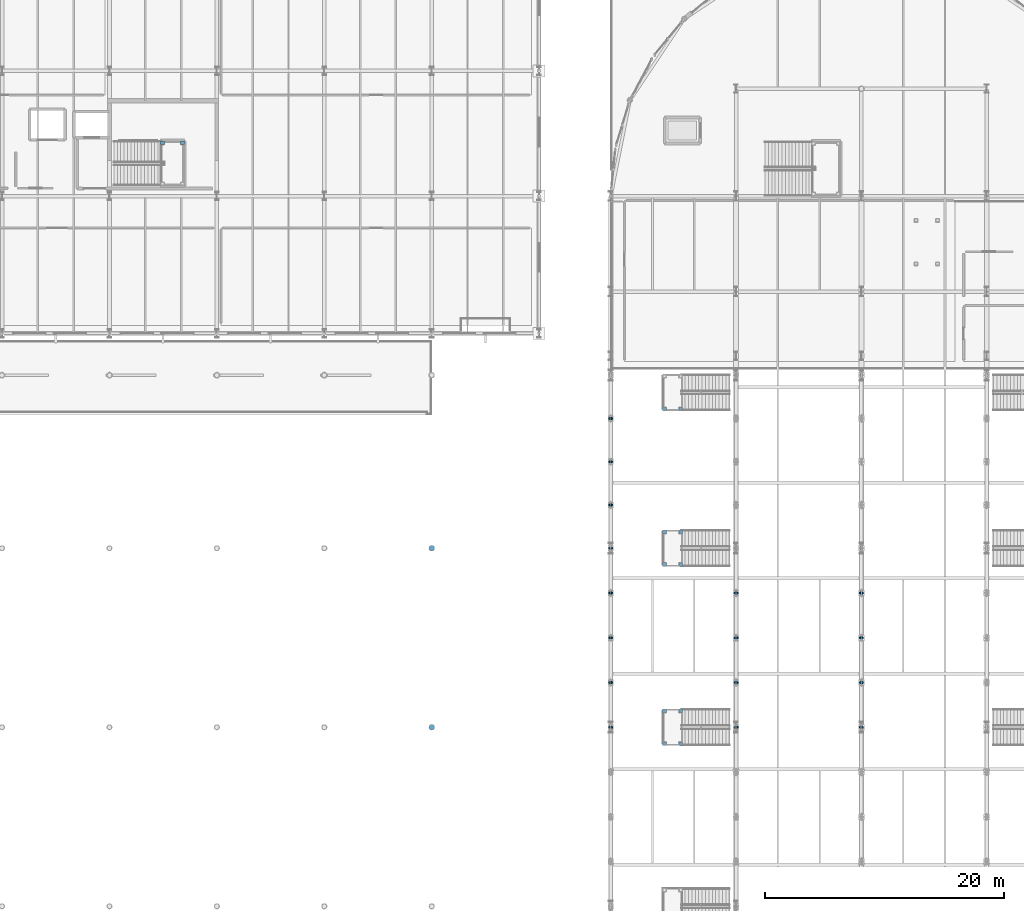
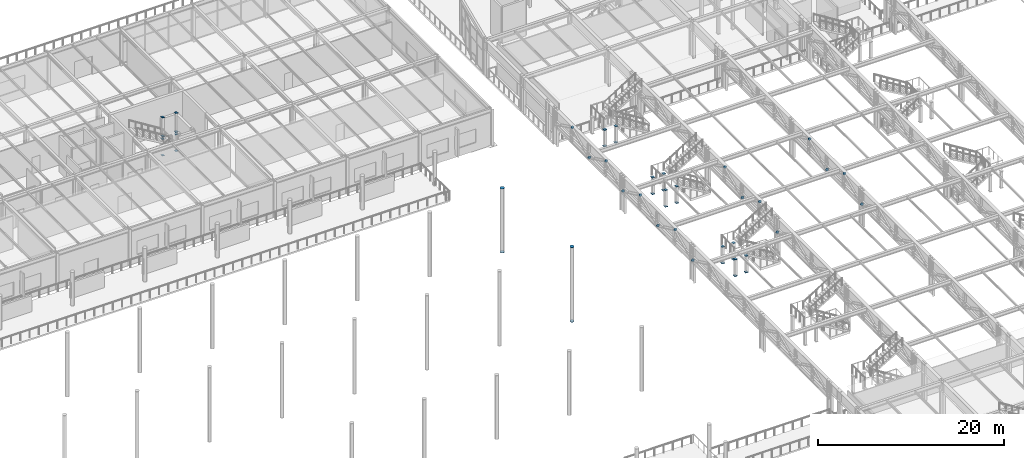
# One storey, part 100 of 143: 64 discrete accessories.
"""IFC4 building model written with IfcOpenShell, lengths in metres."""

import ifcopenshell
import ifcopenshell.guid

model = None  # the IFC model being written
_history = None  # IfcOwnerHistory: only IFC2X3 demands one
_inside = {}  # id of a spatial element -> (the spatial element, [elements in it])
_under = {}  # id of a project, library or spatial element -> (it, [spatial elements below it])
_declared = {}  # id of a project -> (the project, [libraries it declares])
_typed = {}  # id of a type object -> (the type object, [elements of that type])
_made_of = {}  # id of a material, layer set ... -> (it, [elements and type objects made of it])


def new_model(schema):
    """Start an empty IFC model of exactly this schema.

    Asked for "IFC4X3", IfcOpenShell would pick the latest addendum, in which some entities
    have other attributes; the version numbers below select the first issue.
    IFC2X3 requires an IfcOwnerHistory on every rooted entity: one is made here for all.
    """
    global model, _history
    if schema == "IFC4X3":
        model = ifcopenshell.file(schema_version=(4, 3, 0, 0))
    else:
        model = ifcopenshell.file(schema=schema)
    _inside.clear()
    _under.clear()
    _declared.clear()
    _typed.clear()
    _made_of.clear()
    _history = None
    if model.schema == "IFC2X3":
        org = make("IfcOrganization", Name="unknown")
        user = make(
            "IfcPersonAndOrganization",
            ThePerson=make("IfcPerson", FamilyName="unknown"),
            TheOrganization=org,
        )
        app = make(
            "IfcApplication",
            ApplicationDeveloper=org,
            Version="unknown",
            ApplicationFullName="unknown",
            ApplicationIdentifier="unknown",
        )
        _history = make(
            "IfcOwnerHistory",
            OwningUser=user,
            OwningApplication=app,
            ChangeAction="ADDED",
            CreationDate=0,
        )
    return model


def make(cls, **values):
    """One entity of the class cls with the attributes given. An attribute that is None is left unset."""
    return model.create_entity(
        cls, **{name: value for name, value in values.items() if value is not None}
    )


def rooted(cls, **values):
    """An entity with a GlobalId (a new one), such as an element, a storey or a relation."""
    return make(cls, GlobalId=ifcopenshell.guid.new(), OwnerHistory=_history, **values)


def si_unit(unit_type, name, prefix=None):
    """IfcSIUnit, for example si_unit("LENGTHUNIT", "METRE", prefix="MILLI")."""
    return make("IfcSIUnit", UnitType=unit_type, Prefix=prefix, Name=name)


def assignment(units):
    """IfcUnitAssignment: the units of a project."""
    return None if units is None else make("IfcUnitAssignment", Units=units)


def point(xyz):
    """IfcCartesianPoint."""
    return None if xyz is None else make("IfcCartesianPoint", Coordinates=xyz)


def direction(xyz):
    """IfcDirection."""
    return None if xyz is None else make("IfcDirection", DirectionRatios=xyz)


def frame(location, z_axis=None, x_axis=None):
    """IfcAxis2Placement3D, a coordinate frame: its origin and axes. An axis left out is left unset."""
    return make(
        "IfcAxis2Placement3D",
        Location=point(location),
        Axis=direction(z_axis),
        RefDirection=direction(x_axis),
    )


def frame_2d(location, x_axis=None):
    """IfcAxis2Placement2D, a coordinate frame in the plane: its origin and x axis."""
    return make(
        "IfcAxis2Placement2D", Location=point(location), RefDirection=direction(x_axis)
    )


def origin():
    """The frame at (0, 0, 0) with its axes left unset."""
    return frame((0.0, 0.0, 0.0))


def origin_2d():
    """The frame at (0, 0) in the plane with its x axis left unset."""
    return frame_2d((0.0, 0.0))


def place(relative_to, where):
    """IfcLocalPlacement: puts the frame where relative to a parent placement (None: the world)."""
    return make(
        "IfcLocalPlacement", PlacementRelTo=relative_to, RelativePlacement=where
    )


def context(
    kind, dimensions, precision=None, world=None, true_north=None, identifier=None
):
    """IfcGeometricRepresentationContext, for example the 3D "Model" context."""
    return make(
        "IfcGeometricRepresentationContext",
        ContextIdentifier=identifier,
        ContextType=kind,
        CoordinateSpaceDimension=dimensions,
        Precision=precision,
        WorldCoordinateSystem=world,
        TrueNorth=true_north,
    )


def subcontext(parent, identifier, kind, view, scale=None):
    """IfcGeometricRepresentationSubContext, for example "Body" below "Model"."""
    return make(
        "IfcGeometricRepresentationSubContext",
        ContextIdentifier=identifier,
        ContextType=kind,
        ParentContext=parent,
        TargetScale=scale,
        TargetView=view,
    )


def project(units=None, contexts=None):
    """IfcProject with its units and contexts."""
    return rooted(
        "IfcProject",
        Name="project",
        RepresentationContexts=contexts,
        UnitsInContext=assignment(units),
    )


def spatial(cls, under=None, at=None, **own):
    """A site, building, storey or space (cls), placed at a placement, below another one or the project."""
    s = rooted(cls, ObjectPlacement=at, **own)
    if under is not None:
        _under.setdefault(under.id(), (under, []))[1].append(s)
    return s


def profile(cls, at=None, kind="AREA", **sizes):
    """A parametric profile (cls). Its sizes go by their IFC names, for example OverallWidth=200.0."""
    return make(cls, ProfileType=kind, Position=at, **sizes)


def rectangle(**sizes):
    """IfcRectangleProfileDef."""
    return profile("IfcRectangleProfileDef", **sizes)


def circle(**sizes):
    """IfcCircleProfileDef."""
    return profile("IfcCircleProfileDef", **sizes)


def extrude(swept, where, along, depth):
    """IfcExtrudedAreaSolid: the profile swept, set in the frame where, extruded along a direction by depth."""
    return make(
        "IfcExtrudedAreaSolid",
        SweptArea=swept,
        Position=where,
        ExtrudedDirection=direction(along),
        Depth=depth,
    )


def shape(context_of_items, identifier, shape_type, items):
    """IfcShapeRepresentation: the items that make up one representation, for example the "Body"."""
    return make(
        "IfcShapeRepresentation",
        ContextOfItems=context_of_items,
        RepresentationIdentifier=identifier,
        RepresentationType=shape_type,
        Items=items,
    )


def material(Name=None, Category=None):
    """IfcMaterial."""
    return make("IfcMaterial", Name=Name, Category=Category)


def made_of(thing, what):
    """Note that an element or type object is made of a material, layer set ...; save() writes the relation."""
    if what is not None:
        _made_of.setdefault(what.id(), (what, []))[1].append(thing)
    return thing


def element(
    cls,
    number,
    at=None,
    inside=None,
    cuts=None,
    type_object=None,
    material=None,
    context=None,
    identifier="Body",
    shape_type=None,
    held_by="IfcProductDefinitionShape",
    body=None,
    shapes=None,
    **own,
):
    """One element of the class cls, such as IfcWall. Its Tag is "e" and its number.

    at: its placement. inside: the storey or other place that contains it. cuts: it is an
    opening in that element (IfcRelVoidsElement). A single representation is given by context,
    identifier, shape_type and body (its items); several are given by shapes. held_by: the class
    of the entity that holds the representations. save() writes the other relations.
    """
    e = rooted(cls, Tag="e%d" % number, ObjectPlacement=at, **own)
    if body is not None:
        shapes = [shape(context, identifier, shape_type, body)]
    if shapes is not None:
        e.Representation = make(held_by, Representations=shapes)
    if inside is not None:
        _inside.setdefault(inside.id(), (inside, []))[1].append(e)
    if cuts is not None:
        rooted(
            "IfcRelVoidsElement", RelatingBuildingElement=cuts, RelatedOpeningElement=e
        )
    if type_object is not None:
        _typed.setdefault(type_object.id(), (type_object, []))[1].append(e)
    return made_of(e, material)


def aggregate(whole, parts):
    """IfcRelAggregates: a whole, such as a stair, and the parts it consists of."""
    return rooted("IfcRelAggregates", RelatingObject=whole, RelatedObjects=parts)


def save(model, path):
    """Write the relations noted so far, then the file.

    IfcRelAggregates (storeys below a building ...), IfcRelContainedInSpatialStructure (elements
    in a storey), IfcRelDefinesByType, IfcRelAssociatesMaterial and IfcRelDeclares: one each for
    every whole, place, type object, material and project.
    """
    for whole, parts in _under.values():
        aggregate(whole, parts)
    for where, things in _inside.values():
        rooted(
            "IfcRelContainedInSpatialStructure",
            RelatedElements=things,
            RelatingStructure=where,
        )
    for kind, things in _typed.values():
        rooted("IfcRelDefinesByType", RelatedObjects=things, RelatingType=kind)
    for what, things in _made_of.values():
        rooted("IfcRelAssociatesMaterial", RelatedObjects=things, RelatingMaterial=what)
    for by, libraries in _declared.values():
        rooted("IfcRelDeclares", RelatingContext=by, RelatedDefinitions=libraries)
    model.write(path)


model = new_model("IFC4")

# Units and contexts
model_context = context("Model", 3, precision=1e-05, world=origin(), true_north=direction((0.0, 1.0)))
body_context = subcontext(model_context, "Body", "Model", "MODEL_VIEW")
ifc_project = project(units=[si_unit("LENGTHUNIT", "METRE"), si_unit("AREAUNIT", "SQUARE_METRE"), si_unit("VOLUMEUNIT", "CUBIC_METRE"), si_unit("PLANEANGLEUNIT", "RADIAN"), si_unit("MASSUNIT", "GRAM", prefix="KILO")], contexts=[model_context])

# Site, building, storey
site_placement = place(None, origin())
site = spatial("IfcSite", under=ifc_project, at=site_placement, CompositionType="ELEMENT")
building_placement = place(site_placement, origin())
building = spatial("IfcBuilding", under=site, at=building_placement, Name="Marlcrest Central Station", CompositionType="ELEMENT")
storey_placement = place(building_placement, frame((0.0, 0.0, 4.800048828125)))
storey = spatial("IfcBuildingStorey", under=building, at=storey_placement, Name="L01", CompositionType="ELEMENT", Elevation=4.800048828125)

# Discrete accessories
ifc_material = material(Name="Steel S355", Category="steel")
for number, where, z_axis, x_axis, name in (
    (1, (72.0, 66.0, -0.014892578125), (0.0, 0.0, 1.0), (1.0, 0.0, 0.0), "endcap-col-SC-11-L01-0497-s"),
    (2, (72.0, 66.0, 9.775146484375), (0.0, 0.0, 1.0), (1.0, 0.0, 0.0), "endcap-col-SC-11-L01-0497-e"),
    (3, (72.0, 81.0, -0.014892578125), (0.0, 0.0, 1.0), (1.0, 0.0, 0.0), "endcap-col-SC-11-L01-0499-s"),
    (4, (72.0, 81.0, 8.37890625), (0.0, 0.0, 1.0), (1.0, 0.0, 0.0), "endcap-col-SC-11-L01-0499-e"),
):
    element("IfcDiscreteAccessory", number, at=place(storey_placement, frame(where, z_axis=z_axis, x_axis=x_axis)), inside=storey, material=ifc_material, Name=name, ObjectType="END_CAP_PLATE", PredefinedType="BRACKET", context=body_context, shape_type="SweptSolid", body=[
        extrude(circle(Radius=0.236572265625, at=origin_2d()), origin(), (0.0, 0.0, 1.0), 0.0400390625),
    ])
for number, where, z_axis, x_axis, name in (
    (5, (87.0, 65.977294921875, 2.75537109375), (0.0, 0.906183139995, -0.422885465331), (-1.0, 0.0, 0.0), "endcap-mem-TD-01-L01-02142-e"),
    (6, (87.0, 65.986328125, 2.738525390625), (0.0, 0.906183139995, 0.422885465331), (-1.0, 0.0, 0.0), "endcap-mem-TD-01-L01-02145-s"),
    (7, (87.0, 69.727294921875, 4.484375), (0.0, 0.906183139995, 0.422885465331), (-1.0, 0.0, 0.0), "endcap-mem-TD-01-L01-02145-e"),
    (8, (87.0, 69.736328125, 4.501220703125), (0.0, 0.906183139995, -0.422885465331), (-1.0, 0.0, 0.0), "endcap-mem-TD-01-L01-02148-s"),
    (9, (87.0, 73.477294921875, 2.75537109375), (0.0, 0.906183139995, -0.422885465331), (-1.0, 0.0, 0.0), "endcap-mem-TD-01-L01-02148-e"),
    (10, (87.0, 73.486328125, 2.738525390625), (0.0, 0.906183139995, 0.422885465331), (-1.0, 0.0, 0.0), "endcap-mem-TD-01-L01-02151-s"),
    (11, (87.0, 77.227294921875, 4.484375), (0.0, 0.906183139995, 0.422885465331), (-1.0, 0.0, 0.0), "endcap-mem-TD-01-L01-02151-e"),
    (12, (87.0, 77.236328125, 4.501220703125), (0.0, 0.906183139995, -0.422885465331), (-1.0, 0.0, 0.0), "endcap-mem-TD-01-L01-02154-s"),
    (13, (87.0, 80.977294921875, 2.75537109375), (0.0, 0.906183139995, -0.422885465331), (-1.0, 0.0, 0.0), "endcap-mem-TD-01-L01-02154-e"),
    (14, (87.0, 80.986572265625, 2.73828125), (0.0, 0.900551636365, 0.434749065831), (-1.0, 0.0, 0.0), "endcap-mem-TD-01-L01-02157-s"),
    (15, (87.0, 84.6025390625, 4.48388671875), (0.0, 0.900551636365, 0.434749065831), (-1.0, 0.0, 0.0), "endcap-mem-TD-01-L01-02157-e"),
    (16, (87.0, 84.611572265625, 4.50146484375), (0.0, 0.900551636365, -0.434749065831), (-1.0, 0.0, 0.0), "endcap-mem-TD-01-L01-02160-s"),
    (17, (87.0, 88.2275390625, 2.755859375), (0.0, 0.900551636365, -0.434749065831), (-1.0, 0.0, 0.0), "endcap-mem-TD-01-L01-02160-e"),
    (18, (87.0, 88.236572265625, 2.73828125), (0.0, 0.900551636365, 0.434749065831), (-1.0, 0.0, 0.0), "endcap-mem-TD-01-L01-02163-s"),
    (19, (87.0, 91.8525390625, 4.48388671875), (0.0, 0.900551636365, 0.434749065831), (-1.0, 0.0, 0.0), "endcap-mem-TD-01-L01-02163-e"),
    (20, (87.0, 91.861572265625, 4.50146484375), (0.0, 0.900551636365, -0.434749065831), (-1.0, 0.0, 0.0), "endcap-mem-TD-01-L01-02166-s"),
    (21, (97.5, 65.977294921875, 2.75537109375), (0.0, 0.906183139995, -0.422885465331), (-1.0, 0.0, 0.0), "endcap-mem-TD-01-L01-02191-e"),
    (22, (97.5, 65.986328125, 2.738525390625), (0.0, 0.906183139995, 0.422885465331), (-1.0, 0.0, 0.0), "endcap-mem-TD-01-L01-02194-s"),
    (23, (97.5, 69.727294921875, 4.484375), (0.0, 0.906183139995, 0.422885465331), (-1.0, 0.0, 0.0), "endcap-mem-TD-01-L01-02194-e"),
    (24, (97.5, 69.736328125, 4.501220703125), (0.0, 0.906183139995, -0.422885465331), (-1.0, 0.0, 0.0), "endcap-mem-TD-01-L01-02197-s"),
    (25, (97.5, 73.477294921875, 2.75537109375), (0.0, 0.906183139995, -0.422885465331), (-1.0, 0.0, 0.0), "endcap-mem-TD-01-L01-02197-e"),
    (26, (97.5, 73.486328125, 2.738525390625), (0.0, 0.906183139995, 0.422885465331), (-1.0, 0.0, 0.0), "endcap-mem-TD-01-L01-02200-s"),
    (27, (97.5, 77.227294921875, 4.484375), (0.0, 0.906183139995, 0.422885465331), (-1.0, 0.0, 0.0), "endcap-mem-TD-01-L01-02200-e"),
    (28, (97.5, 77.236328125, 4.501220703125), (0.0, 0.906183139995, -0.422885465331), (-1.0, 0.0, 0.0), "endcap-mem-TD-01-L01-02203-s"),
    (29, (108.0, 65.977294921875, 2.75537109375), (0.0, 0.906183139995, -0.422885465331), (-1.0, 0.0, 0.0), "endcap-mem-TD-01-L01-02240-e"),
    (30, (108.0, 65.986328125, 2.738525390625), (0.0, 0.906183139995, 0.422885465331), (-1.0, 0.0, 0.0), "endcap-mem-TD-01-L01-02243-s"),
    (31, (108.0, 69.727294921875, 4.484375), (0.0, 0.906183139995, 0.422885465331), (-1.0, 0.0, 0.0), "endcap-mem-TD-01-L01-02243-e"),
    (32, (108.0, 69.736328125, 4.501220703125), (0.0, 0.906183139995, -0.422885465331), (-1.0, 0.0, 0.0), "endcap-mem-TD-01-L01-02246-s"),
    (33, (108.0, 73.477294921875, 2.75537109375), (0.0, 0.906183139995, -0.422885465331), (-1.0, 0.0, 0.0), "endcap-mem-TD-01-L01-02246-e"),
    (34, (108.0, 73.486328125, 2.738525390625), (0.0, 0.906183139995, 0.422885465331), (-1.0, 0.0, 0.0), "endcap-mem-TD-01-L01-02249-s"),
    (35, (108.0, 77.227294921875, 4.484375), (0.0, 0.906183139995, 0.422885465331), (-1.0, 0.0, 0.0), "endcap-mem-TD-01-L01-02249-e"),
    (36, (108.0, 77.236328125, 4.501220703125), (0.0, 0.906183139995, -0.422885465331), (-1.0, 0.0, 0.0), "endcap-mem-TD-01-L01-02252-s"),
):
    element("IfcDiscreteAccessory", number, at=place(storey_placement, frame(where, z_axis=z_axis, x_axis=x_axis)), inside=storey, material=ifc_material, Name=name, ObjectType="END_CAP_PLATE", PredefinedType="BRACKET", context=body_context, shape_type="SweptSolid", body=[
        extrude(circle(Radius=0.169921875, at=origin_2d()), origin(), (0.0, 0.0, 1.0), 0.0400390625),
    ])
for number, where, z_axis, x_axis, name in (
    (37, (91.5, 64.6298828125, -0.014892578125), (0.0, 0.0, 1.0), (1.0, 0.0, 0.0), "endcap-stcol-hi1-0015-915-646-s"),
    (38, (91.5, 64.6298828125, 2.155029296875), (0.0, 0.0, 1.0), (1.0, 0.0, 0.0), "endcap-stcol-hi1-0015-915-646-e"),
    (39, (91.5, 67.3701171875, -0.014892578125), (0.0, 0.0, 1.0), (1.0, 0.0, 0.0), "endcap-stcol-hi1-0015-915-673-s"),
    (40, (91.5, 67.3701171875, 2.155029296875), (0.0, 0.0, 1.0), (1.0, 0.0, 0.0), "endcap-stcol-hi1-0015-915-673-e"),
    (41, (92.860107421875, 64.6298828125, -0.014892578125), (0.0, 0.0, 1.0), (1.0, 0.0, 0.0), "endcap-stcol-hi1-0015-928-646-s"),
    (42, (92.860107421875, 64.6298828125, 2.155029296875), (0.0, 0.0, 1.0), (1.0, 0.0, 0.0), "endcap-stcol-hi1-0015-928-646-e"),
    (43, (92.860107421875, 67.3701171875, -0.014892578125), (0.0, 0.0, 1.0), (1.0, 0.0, 0.0), "endcap-stcol-hi1-0015-928-673-s"),
    (44, (92.860107421875, 67.3701171875, 2.155029296875), (0.0, 0.0, 1.0), (1.0, 0.0, 0.0), "endcap-stcol-hi1-0015-928-673-e"),
    (45, (91.5, 79.6298828125, -0.014892578125), (0.0, 0.0, 1.0), (1.0, 0.0, 0.0), "endcap-stcol-hi1-0021-915-796-s"),
    (46, (91.5, 79.6298828125, 2.155029296875), (0.0, 0.0, 1.0), (1.0, 0.0, 0.0), "endcap-stcol-hi1-0021-915-796-e"),
    (47, (91.5, 82.3701171875, -0.014892578125), (0.0, 0.0, 1.0), (1.0, 0.0, 0.0), "endcap-stcol-hi1-0021-915-823-s"),
    (48, (91.5, 82.3701171875, 2.155029296875), (0.0, 0.0, 1.0), (1.0, 0.0, 0.0), "endcap-stcol-hi1-0021-915-823-e"),
    (49, (92.860107421875, 79.6298828125, -0.014892578125), (0.0, 0.0, 1.0), (1.0, 0.0, 0.0), "endcap-stcol-hi1-0021-928-796-s"),
    (50, (92.860107421875, 79.6298828125, 2.155029296875), (0.0, 0.0, 1.0), (1.0, 0.0, 0.0), "endcap-stcol-hi1-0021-928-796-e"),
    (51, (92.860107421875, 82.3701171875, -0.014892578125), (0.0, 0.0, 1.0), (1.0, 0.0, 0.0), "endcap-stcol-hi1-0021-928-823-s"),
    (52, (92.860107421875, 82.3701171875, 2.155029296875), (0.0, 0.0, 1.0), (1.0, 0.0, 0.0), "endcap-stcol-hi1-0021-928-823-e"),
    (53, (91.5, 92.679931640625, -0.014892578125), (0.0, 0.0, 1.0), (1.0, 0.0, 0.0), "endcap-stcol-hi1-0027-915-926-s"),
    (54, (91.5, 92.679931640625, 2.155029296875), (0.0, 0.0, 1.0), (1.0, 0.0, 0.0), "endcap-stcol-hi1-0027-915-926-e"),
    (55, (92.860107421875, 92.679931640625, -0.014892578125), (0.0, 0.0, 1.0), (1.0, 0.0, 0.0), "endcap-stcol-hi1-0027-928-926-s"),
    (56, (92.860107421875, 92.679931640625, 2.155029296875), (0.0, 0.0, 1.0), (1.0, 0.0, 0.0), "endcap-stcol-hi1-0027-928-926-e"),
    (57, (51.1201171875, 114.969970703125, -0.014892578125), (0.0, 0.0, 1.0), (1.0, 0.0, 0.0), "endcap-htcol-lo-0047-2-s"),
    (58, (51.1201171875, 114.969970703125, 2.155029296875), (0.0, 0.0, 1.0), (1.0, 0.0, 0.0), "endcap-htcol-lo-0047-2-e"),
    (59, (51.1201171875, 114.969970703125, 2.485107421875), (0.0, 0.0, 1.0), (1.0, 0.0, 0.0), "endcap-htcol-hi-0047-2-s"),
    (60, (51.1201171875, 114.969970703125, 4.97509765625), (0.0, 0.0, 1.0), (1.0, 0.0, 0.0), "endcap-htcol-hi-0047-2-e"),
    (61, (49.43994140625, 114.969970703125, -0.014892578125), (0.0, 0.0, 1.0), (1.0, 0.0, 0.0), "endcap-htcol-lo-0047-3-s"),
    (62, (49.43994140625, 114.969970703125, 2.155029296875), (0.0, 0.0, 1.0), (1.0, 0.0, 0.0), "endcap-htcol-lo-0047-3-e"),
    (63, (49.43994140625, 114.969970703125, 2.485107421875), (0.0, 0.0, 1.0), (1.0, 0.0, 0.0), "endcap-htcol-hi-0047-3-s"),
    (64, (49.43994140625, 114.969970703125, 4.97509765625), (0.0, 0.0, 1.0), (1.0, 0.0, 0.0), "endcap-htcol-hi-0047-3-e"),
):
    element("IfcDiscreteAccessory", number, at=place(storey_placement, frame(where, z_axis=z_axis, x_axis=x_axis)), inside=storey, material=ifc_material, Name=name, ObjectType="END_CAP_PLATE", PredefinedType="BRACKET", context=body_context, shape_type="SweptSolid", body=[
        extrude(rectangle(XDim=0.31591796875, YDim=0.31591796875, at=origin_2d()), origin(), (0.0, 0.0, 1.0), 0.0400390625),
    ])

save(model, "model.ifc")
